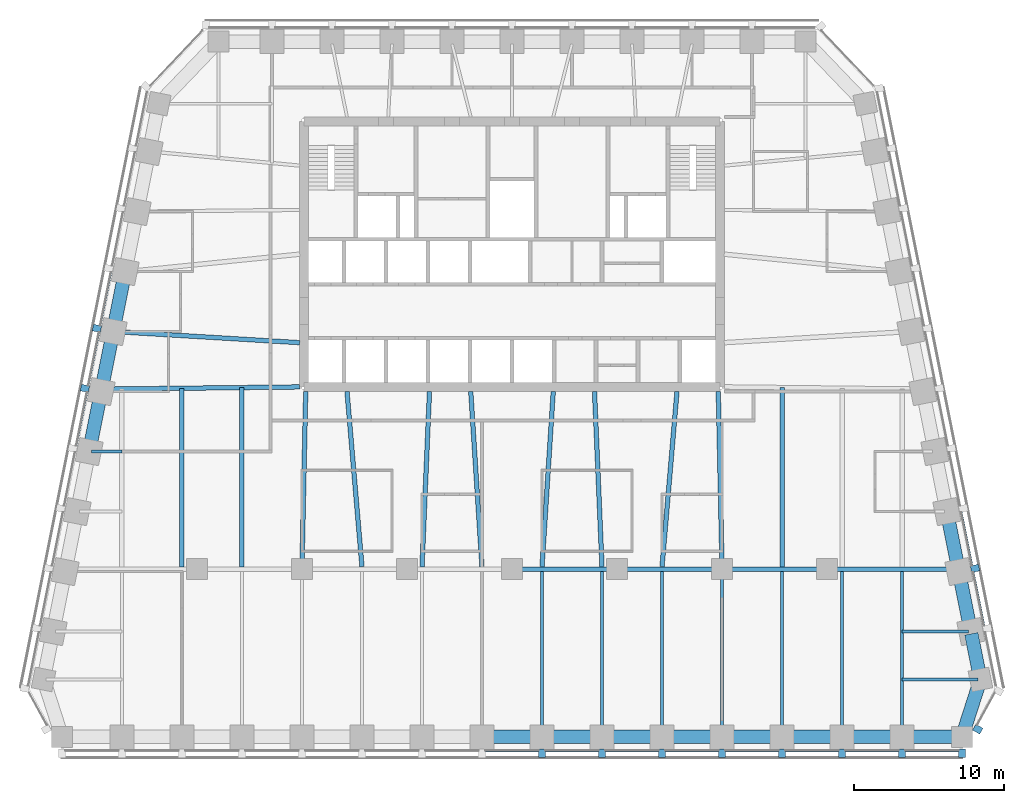
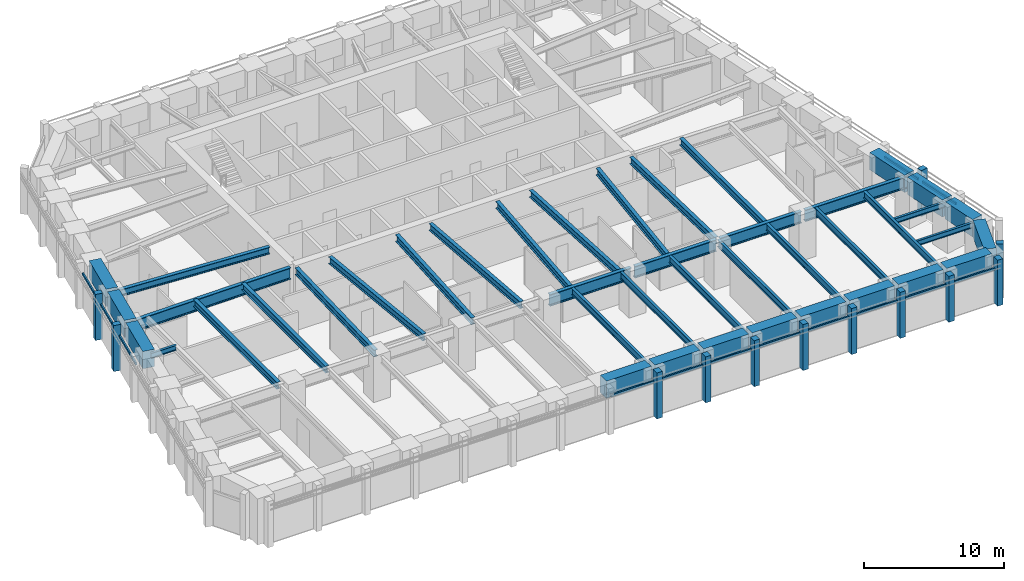
# One storey, part 2 of 10: 42 beams, 25 members, 4 elements without a shape of their own.
"""IFC4 building model written with IfcOpenShell, lengths in metres."""

from ifc_helpers import new_model, si_unit, direction, frame, origin, origin_2d, place, context, subcontext, project, spatial, rectangle, i_section, extrude, material, material_profile, profile_set, type_object, element, aggregate, save


model = new_model("IFC4")

# Units and contexts
model_context = context("Model", 3, precision=1e-05, world=origin(), true_north=direction((0.0, 1.0)))
body_context = subcontext(model_context, "Body", "Model", "MODEL_VIEW")
ifc_project = project(units=[si_unit("LENGTHUNIT", "METRE"), si_unit("AREAUNIT", "SQUARE_METRE"), si_unit("VOLUMEUNIT", "CUBIC_METRE"), si_unit("PLANEANGLEUNIT", "RADIAN"), si_unit("MASSUNIT", "GRAM", prefix="KILO")], contexts=[model_context])

# Site, building, storey
site_placement = place(None, origin())
site = spatial("IfcSite", under=ifc_project, at=site_placement, CompositionType="ELEMENT")
building_placement = place(site_placement, origin())
building = spatial("IfcBuilding", under=site, at=building_placement, Name="Isbrekke Arena Tower", CompositionType="ELEMENT")
storey_placement = place(building_placement, frame((0.0, 0.0, 230.0)))
storey = spatial("IfcBuildingStorey", under=building, at=storey_placement, Name="L53", CompositionType="ELEMENT", Elevation=230.0)

# Beams
ifc_material_1 = material(Name="Steel S355", Category="steel")
ifc_material_profile_1 = material_profile(ifc_material_1, i_section(OverallWidth=0.219970703125, OverallDepth=0.60009765625, WebThickness=0.011962890625, FlangeThickness=0.01904296875, FilletRadius=0.02392578125, at=origin_2d()), Name="IPE 600")
ifc_profile_set_1 = profile_set([ifc_material_profile_1], Name="Steel S355")
beam_type_1 = type_object("IfcBeamType", Name="B1 IPE 600", PredefinedType="BEAM", material=ifc_profile_set_1)
for number, where, z_axis, x_axis, name in (
    (1, (2.0, -17.02490234375, 3.550048828125), (0.0, 1.0, 0.0), (-1.0, 0.0, 0.0), "B1 beam S-S09 L53"),
    (2, (6.0, -17.02490234375, 3.550048828125), (0.0, 1.0, 0.0), (-1.0, 0.0, 0.0), "B1 beam S-S10 L53"),
    (3, (10.0, -17.02490234375, 3.550048828125), (0.0, 1.0, 0.0), (-1.0, 0.0, 0.0), "B1 beam S-S11 L53"),
):
    element("IfcBeam", number, at=place(storey_placement, frame(where, z_axis=z_axis, x_axis=x_axis)), inside=storey, type_object=beam_type_1, Name=name, PredefinedType="BEAM", context=body_context, shape_type="SweptSolid", body=[
        extrude(i_section(OverallWidth=0.219970703125, OverallDepth=0.60009765625, WebThickness=0.011962890625, FlangeThickness=0.01904296875, FilletRadius=0.02392578125, at=origin_2d()), origin(), (0.0, 0.0, 1.0), 10.8740234375),
    ])
beam_1_placement = place(storey_placement, frame((14.0, -17.02490234375, 3.550048828125), z_axis=(0.0, 1.0, 0.0), x_axis=(-1.0, 0.0, 0.0)))
element("IfcBeam", 4, at=beam_1_placement, inside=storey, type_object=beam_type_1, Name="B1 beam S-S12 L53", PredefinedType="BEAM", context=body_context, shape_type="SweptSolid", body=[
    extrude(i_section(OverallWidth=0.219970703125, OverallDepth=0.60009765625, WebThickness=0.011962890625, FlangeThickness=0.01904296875, FilletRadius=0.02392578125, at=origin_2d()), origin(), (0.0, 0.0, 1.0), 10.875),
])
for number, where, z_axis, x_axis, name in (
    (5, (18.0, -17.02490234375, 3.550048828125), (0.0, 1.0, 0.0), (-1.0, 0.0, 0.0), "B1 beam S-S13 L53"),
    (6, (22.0, -17.02490234375, 3.550048828125), (0.0, 1.0, 0.0), (-1.0, 0.0, 0.0), "B1 beam S-S14 L53"),
    (7, (26.0, -17.02490234375, 3.550048828125), (0.0, 1.0, 0.0), (-1.0, 0.0, 0.0), "B1 beam S-S15 L53"),
):
    element("IfcBeam", number, at=place(storey_placement, frame(where, z_axis=z_axis, x_axis=x_axis)), inside=storey, type_object=beam_type_1, Name=name, PredefinedType="BEAM", context=body_context, shape_type="SweptSolid", body=[
        extrude(i_section(OverallWidth=0.219970703125, OverallDepth=0.60009765625, WebThickness=0.011962890625, FlangeThickness=0.01904296875, FilletRadius=0.02392578125, at=origin_2d()), origin(), (0.0, 0.0, 1.0), 10.8740234375),
    ])
ifc_material_2 = material(Name="Steel S355", Category="steel")
ifc_material_profile_2 = material_profile(ifc_material_2, i_section(OverallWidth=0.18994140625, OverallDepth=0.449951171875, WebThickness=0.009521484375, FlangeThickness=0.0146484375, FilletRadius=0.02099609375, at=origin_2d()), Name="IPE 450")
ifc_profile_set_2 = profile_set([ifc_material_profile_2], Name="Steel S355")
beam_type_2 = type_object("IfcBeamType", Name="B2 IPE 450", PredefinedType="BEAM", material=ifc_profile_set_2)
beam_2_placement = place(storey_placement, frame((31.079345703125, -13.352783203125, 3.625), z_axis=(-1.0, 0.0, 0.0), x_axis=(0.0, -1.0, 0.0)))
element("IfcBeam", 8, at=beam_2_placement, inside=storey, type_object=beam_type_2, Name="B2 beam E-E01 L53", PredefinedType="BEAM", context=body_context, shape_type="SweptSolid", body=[
    extrude(i_section(OverallWidth=0.18994140625, OverallDepth=0.449951171875, WebThickness=0.009521484375, FlangeThickness=0.0146484375, FilletRadius=0.02099609375, at=origin_2d()), origin(), (0.0, 0.0, 1.0), 5.079345703125),
])
beam_3_placement = place(storey_placement, frame((30.44091796875, -10.161865234375, 3.625), z_axis=(-1.0, 0.0, 0.0), x_axis=(0.0, -1.0, 0.0)))
element("IfcBeam", 9, at=beam_3_placement, inside=storey, type_object=beam_type_2, Name="B2 beam E-E02 L53", PredefinedType="BEAM", context=body_context, shape_type="SweptSolid", body=[
    extrude(i_section(OverallWidth=0.18994140625, OverallDepth=0.449951171875, WebThickness=0.009521484375, FlangeThickness=0.0146484375, FilletRadius=0.02099609375, at=origin_2d()), origin(), (0.0, 0.0, 1.0), 4.44091796875),
])
beam_4_placement = place(storey_placement, frame((-28.041015625, 1.838134765625, 3.625), z_axis=(1.0, 0.0, 0.0), x_axis=(0.0, 1.0, 0.0)))
element("IfcBeam", 10, at=beam_4_placement, inside=storey, type_object=beam_type_2, Name="B2 beam E-W07 L53", PredefinedType="BEAM", context=body_context, shape_type="SweptSolid", body=[
    extrude(i_section(OverallWidth=0.18994140625, OverallDepth=0.449951171875, WebThickness=0.009521484375, FlangeThickness=0.0146484375, FilletRadius=0.02099609375, at=origin_2d()), origin(), (0.0, 0.0, 1.0), 2.041015625),
])
ifc_material_3 = material(Name="Steel S355", Category="steel")
ifc_material_profile_3 = material_profile(ifc_material_3, i_section(OverallWidth=0.300048828125, OverallDepth=0.60009765625, WebThickness=0.015380859375, FlangeThickness=0.030029296875, FilletRadius=0.027099609375, at=origin_2d()), Name="HEB 600")
ifc_profile_set_3 = profile_set([ifc_material_profile_3], Name="Steel S355")
beam_type_3 = type_object("IfcBeamType", Name="B7 HEB 600", PredefinedType="BEAM", material=ifc_profile_set_3)
beam_5_placement = place(storey_placement, frame((-22.0, -5.84912109375, 3.550048828125), z_axis=(0.0, 1.0, 0.0), x_axis=(-1.0, 0.0, 0.0)))
element("IfcBeam", 11, at=beam_5_placement, inside=storey, type_object=beam_type_3, Name="B7 beam C-M02 L53", PredefinedType="BEAM", context=body_context, shape_type="SweptSolid", body=[
    extrude(i_section(OverallWidth=0.300048828125, OverallDepth=0.60009765625, WebThickness=0.015380859375, FlangeThickness=0.030029296875, FilletRadius=0.027099609375, at=origin_2d()), origin(), (0.0, 0.0, 1.0), 11.91015625),
])
beam_6_placement = place(storey_placement, frame((-18.0, -5.84912109375, 3.550048828125), z_axis=(0.0, 1.0, 0.0), x_axis=(-1.0, 0.0, 0.0)))
element("IfcBeam", 12, at=beam_6_placement, inside=storey, type_object=beam_type_3, Name="B7 beam C-M03 L53", PredefinedType="BEAM", context=body_context, shape_type="SweptSolid", body=[
    extrude(i_section(OverallWidth=0.300048828125, OverallDepth=0.60009765625, WebThickness=0.015380859375, FlangeThickness=0.030029296875, FilletRadius=0.027099609375, at=origin_2d()), origin(), (0.0, 0.0, 1.0), 11.95556640625),
])
beam_7_placement = place(storey_placement, frame((-14.0, -5.8466796875, 3.550048828125), z_axis=(0.021368528218, 0.999771666933, 0.0), x_axis=(-0.999771666933, 0.021368528218, 0.0)))
element("IfcBeam", 13, at=beam_7_placement, inside=storey, type_object=beam_type_3, Name="B7 beam C-M04 L53", PredefinedType="BEAM", context=body_context, shape_type="SweptSolid", body=[
    extrude(i_section(OverallWidth=0.300048828125, OverallDepth=0.60009765625, WebThickness=0.015380859375, FlangeThickness=0.030029296875, FilletRadius=0.027099609375, at=origin_2d()), origin(), (0.0, 0.0, 1.0), 11.699462890625),
])
beam_8_placement = place(storey_placement, frame((-10.0009765625, -5.836181640625, 3.550048828125), z_axis=(-0.085176202372, 0.996365903948, 0.0), x_axis=(-0.996365903948, -0.085176202372, 0.0)))
element("IfcBeam", 14, at=beam_8_placement, inside=storey, type_object=beam_type_3, Name="B7 beam C-M05 L53", PredefinedType="BEAM", context=body_context, shape_type="SweptSolid", body=[
    extrude(i_section(OverallWidth=0.300048828125, OverallDepth=0.60009765625, WebThickness=0.015380859375, FlangeThickness=0.030029296875, FilletRadius=0.027099609375, at=origin_2d()), origin(), (0.0, 0.0, 1.0), 11.72900390625),
])
beam_9_placement = place(storey_placement, frame((-5.999755859375, -5.842529296875, 3.550048828125), z_axis=(0.042702124015, 0.999087848292, 0.0), x_axis=(-0.999087848292, 0.042702124015, 0.0)))
element("IfcBeam", 15, at=beam_9_placement, inside=storey, type_object=beam_type_3, Name="B7 beam C-M06 L53", PredefinedType="BEAM", context=body_context, shape_type="SweptSolid", body=[
    extrude(i_section(OverallWidth=0.300048828125, OverallDepth=0.60009765625, WebThickness=0.015380859375, FlangeThickness=0.030029296875, FilletRadius=0.027099609375, at=origin_2d()), origin(), (0.0, 0.0, 1.0), 11.703369140625),
])
for number, where, z_axis, x_axis, name in (
    (16, (-2.000732421875, -5.83935546875, 3.550048828125), (-0.063966475255, 0.997952047968, 0.0), (-0.997952047968, -0.063966475255, 0.0), "B7 beam C-M07 L53"),
    (17, (2.000732421875, -5.83935546875, 3.550048828125), (0.063966475255, 0.997952047968, 0.0), (-0.997952047968, 0.063966475255, 0.0), "B7 beam C-M08 L53"),
):
    element("IfcBeam", number, at=place(storey_placement, frame(where, z_axis=z_axis, x_axis=x_axis)), inside=storey, type_object=beam_type_3, Name=name, PredefinedType="BEAM", context=body_context, shape_type="SweptSolid", body=[
        extrude(i_section(OverallWidth=0.300048828125, OverallDepth=0.60009765625, WebThickness=0.015380859375, FlangeThickness=0.030029296875, FilletRadius=0.027099609375, at=origin_2d()), origin(), (0.0, 0.0, 1.0), 11.71337890625),
    ])
beam_10_placement = place(storey_placement, frame((5.999755859375, -5.842529296875, 3.550048828125), z_axis=(-0.042702124015, 0.999087848292, 0.0), x_axis=(-0.999087848292, -0.042702124015, 0.0)))
element("IfcBeam", 18, at=beam_10_placement, inside=storey, type_object=beam_type_3, Name="B7 beam C-M09 L53", PredefinedType="BEAM", context=body_context, shape_type="SweptSolid", body=[
    extrude(i_section(OverallWidth=0.300048828125, OverallDepth=0.60009765625, WebThickness=0.015380859375, FlangeThickness=0.030029296875, FilletRadius=0.027099609375, at=origin_2d()), origin(), (0.0, 0.0, 1.0), 11.703369140625),
])
beam_11_placement = place(storey_placement, frame((10.0009765625, -5.836181640625, 3.550048828125), z_axis=(0.085176202372, 0.996365903948, 0.0), x_axis=(-0.996365903948, 0.085176202372, 0.0)))
element("IfcBeam", 19, at=beam_11_placement, inside=storey, type_object=beam_type_3, Name="B7 beam C-M10 L53", PredefinedType="BEAM", context=body_context, shape_type="SweptSolid", body=[
    extrude(i_section(OverallWidth=0.300048828125, OverallDepth=0.60009765625, WebThickness=0.015380859375, FlangeThickness=0.030029296875, FilletRadius=0.027099609375, at=origin_2d()), origin(), (0.0, 0.0, 1.0), 11.72900390625),
])
beam_12_placement = place(storey_placement, frame((14.0, -5.8466796875, 3.550048828125), z_axis=(-0.021368528218, 0.999771666933, 0.0), x_axis=(-0.999771666933, -0.021368528218, 0.0)))
element("IfcBeam", 20, at=beam_12_placement, inside=storey, type_object=beam_type_3, Name="B7 beam C-M11 L53", PredefinedType="BEAM", context=body_context, shape_type="SweptSolid", body=[
    extrude(i_section(OverallWidth=0.300048828125, OverallDepth=0.60009765625, WebThickness=0.015380859375, FlangeThickness=0.030029296875, FilletRadius=0.027099609375, at=origin_2d()), origin(), (0.0, 0.0, 1.0), 11.699462890625),
])
beam_13_placement = place(storey_placement, frame((18.0, -5.84912109375, 3.550048828125), z_axis=(0.0, 1.0, 0.0), x_axis=(-1.0, 0.0, 0.0)))
element("IfcBeam", 21, at=beam_13_placement, inside=storey, type_object=beam_type_3, Name="B7 beam C-M12 L53", PredefinedType="BEAM", context=body_context, shape_type="SweptSolid", body=[
    extrude(i_section(OverallWidth=0.300048828125, OverallDepth=0.60009765625, WebThickness=0.015380859375, FlangeThickness=0.030029296875, FilletRadius=0.027099609375, at=origin_2d()), origin(), (0.0, 0.0, 1.0), 11.95556640625),
])
beam_14_placement = place(storey_placement, frame((-26.43212890625, 9.837646484375, 3.550048828125), z_axis=(0.998201854902, -0.059942112659, 0.0), x_axis=(0.059942112659, 0.998201854902, 0.0)))
element("IfcBeam", 22, at=beam_14_placement, inside=storey, type_object=beam_type_3, Name="B7 beam E-W05 L53", PredefinedType="BEAM", context=body_context, shape_type="SweptSolid", body=[
    extrude(i_section(OverallWidth=0.300048828125, OverallDepth=0.60009765625, WebThickness=0.015380859375, FlangeThickness=0.030029296875, FilletRadius=0.027099609375, at=origin_2d()), origin(), (0.0, 0.0, 1.0), 12.304443359375),
])

# Curtain wall, members
ifc_material_4 = material(Name="Glazed aluminium curtain wall", Category="aluminium")
curtain_wall_type = type_object("IfcCurtainWallType", Name="CWH TOWER CURTAIN WALL HIGH ZONE", PredefinedType="USERDEFINED", material=ifc_material_4)
curtain_wall_1_placement = place(storey_placement, origin())
curtain_wall_1 = element("IfcCurtainWall", 23, at=curtain_wall_1_placement, inside=storey, type_object=curtain_wall_type, Name="CWH curtain wall L53-S", ObjectType="TOWER CURTAIN WALL HIGH ZONE", PredefinedType="USERDEFINED")
ifc_material_5 = material(Name="Aluminium mullion, pale brick slip cladding", Category="masonry")
ifc_material_profile_4 = material_profile(ifc_material_5, rectangle(XDim=0.449951171875, YDim=0.550048828125, at=origin_2d()), Name="PIER 450X550")
ifc_profile_set_4 = profile_set([ifc_material_profile_4], Name="Aluminium mullion, pale brick slip cladding")
member_type_1 = type_object("IfcMemberType", Name="CWH-M PIER MULLION 450 x 550", PredefinedType="MULLION", material=ifc_profile_set_4)
member_1_placement = place(storey_placement, frame((2.0, -18.27490234375, 0.0), z_axis=(0.0, 0.0, 1.0), x_axis=(1.0, 0.0, 0.0)))
member_1 = element("IfcMember", 24, at=member_1_placement, type_object=member_type_1, Name="CWH-M mullion 9", PredefinedType="MULLION", context=body_context, shape_type="SweptSolid", body=[
    extrude(rectangle(XDim=0.449951171875, YDim=0.550048828125, at=origin_2d()), origin(), (0.0, 0.0, 1.0), 4.0),
])
member_2_placement = place(storey_placement, frame((6.0, -18.27490234375, 0.0), z_axis=(0.0, 0.0, 1.0), x_axis=(1.0, 0.0, 0.0)))
member_2 = element("IfcMember", 25, at=member_2_placement, type_object=member_type_1, Name="CWH-M mullion 10", PredefinedType="MULLION", context=body_context, shape_type="SweptSolid", body=[
    extrude(rectangle(XDim=0.449951171875, YDim=0.550048828125, at=origin_2d()), origin(), (0.0, 0.0, 1.0), 4.0),
])
member_3_placement = place(storey_placement, frame((10.0, -18.27490234375, 0.0), z_axis=(0.0, 0.0, 1.0), x_axis=(1.0, 0.0, 0.0)))
member_3 = element("IfcMember", 26, at=member_3_placement, type_object=member_type_1, Name="CWH-M mullion 11", PredefinedType="MULLION", context=body_context, shape_type="SweptSolid", body=[
    extrude(rectangle(XDim=0.449951171875, YDim=0.550048828125, at=origin_2d()), origin(), (0.0, 0.0, 1.0), 4.0),
])
member_4_placement = place(storey_placement, frame((14.0, -18.27490234375, 0.0), z_axis=(0.0, 0.0, 1.0), x_axis=(1.0, 0.0, 0.0)))
member_4 = element("IfcMember", 27, at=member_4_placement, type_object=member_type_1, Name="CWH-M mullion 12", PredefinedType="MULLION", context=body_context, shape_type="SweptSolid", body=[
    extrude(rectangle(XDim=0.449951171875, YDim=0.550048828125, at=origin_2d()), origin(), (0.0, 0.0, 1.0), 4.0),
])
member_5_placement = place(storey_placement, frame((18.0, -18.27490234375, 0.0), z_axis=(0.0, 0.0, 1.0), x_axis=(1.0, 0.0, 0.0)))
member_5 = element("IfcMember", 28, at=member_5_placement, type_object=member_type_1, Name="CWH-M mullion 13", PredefinedType="MULLION", context=body_context, shape_type="SweptSolid", body=[
    extrude(rectangle(XDim=0.449951171875, YDim=0.550048828125, at=origin_2d()), origin(), (0.0, 0.0, 1.0), 4.0),
])
member_6_placement = place(storey_placement, frame((22.0, -18.27490234375, 0.0), z_axis=(0.0, 0.0, 1.0), x_axis=(1.0, 0.0, 0.0)))
member_6 = element("IfcMember", 29, at=member_6_placement, type_object=member_type_1, Name="CWH-M mullion 14", PredefinedType="MULLION", context=body_context, shape_type="SweptSolid", body=[
    extrude(rectangle(XDim=0.449951171875, YDim=0.550048828125, at=origin_2d()), origin(), (0.0, 0.0, 1.0), 4.0),
])
member_7_placement = place(storey_placement, frame((26.0, -18.27490234375, 0.0), z_axis=(0.0, 0.0, 1.0), x_axis=(1.0, 0.0, 0.0)))
member_7 = element("IfcMember", 30, at=member_7_placement, type_object=member_type_1, Name="CWH-M mullion 15", PredefinedType="MULLION", context=body_context, shape_type="SweptSolid", body=[
    extrude(rectangle(XDim=0.449951171875, YDim=0.550048828125, at=origin_2d()), origin(), (0.0, 0.0, 1.0), 4.0),
])
member_8_placement = place(storey_placement, frame((30.0, -18.27490234375, 0.0), z_axis=(0.0, 0.0, 1.0), x_axis=(1.0, 0.0, 0.0)))
member_8 = element("IfcMember", 31, at=member_8_placement, type_object=member_type_1, Name="CWH-M mullion 16", PredefinedType="MULLION", context=body_context, shape_type="SweptSolid", body=[
    extrude(rectangle(XDim=0.449951171875, YDim=0.550048828125, at=origin_2d()), origin(), (0.0, 0.0, 1.0), 4.0),
])

# Curtain wall, member
curtain_wall_2_placement = place(storey_placement, origin())
curtain_wall_2 = element("IfcCurtainWall", 32, at=curtain_wall_2_placement, inside=storey, type_object=curtain_wall_type, Name="CWH curtain wall L53-SE", ObjectType="TOWER CURTAIN WALL HIGH ZONE", PredefinedType="USERDEFINED")
member_9_placement = place(storey_placement, frame((31.047119140625, -16.666748046875, 0.0), z_axis=(0.0, 0.0, 1.0), x_axis=(0.481918749773, 0.876215908676, 0.0)))
member_9 = element("IfcMember", 33, at=member_9_placement, type_object=member_type_1, Name="CWH-M mullion 1", PredefinedType="MULLION", context=body_context, shape_type="SweptSolid", body=[
    extrude(rectangle(XDim=0.449951171875, YDim=0.550048828125, at=origin_2d()), origin(), (0.0, 0.0, 1.0), 4.0),
])
aggregate(curtain_wall_2, [member_9])

curtain_wall_3_placement = place(storey_placement, origin())
curtain_wall_3 = element("IfcCurtainWall", 34, at=curtain_wall_3_placement, inside=storey, type_object=curtain_wall_type, Name="CWH curtain wall L53-E", ObjectType="TOWER CURTAIN WALL HIGH ZONE", PredefinedType="USERDEFINED")
member_10_placement = place(storey_placement, frame((30.86962890625, -5.946044921875, 0.0), z_axis=(0.0, 0.0, 1.0), x_axis=(-0.196116135138, 0.980580675691, 0.0)))
member_10 = element("IfcMember", 35, at=member_10_placement, type_object=member_type_1, Name="CWH-M mullion 2", PredefinedType="MULLION", context=body_context, shape_type="SweptSolid", body=[
    extrude(rectangle(XDim=0.449951171875, YDim=0.550048828125, at=origin_2d()), origin(), (0.0, 0.0, 1.0), 4.0),
])

# Curtain wall, members
curtain_wall_4_placement = place(storey_placement, origin())
curtain_wall_4 = element("IfcCurtainWall", 36, at=curtain_wall_4_placement, inside=storey, type_object=curtain_wall_type, Name="CWH curtain wall L53-W", ObjectType="TOWER CURTAIN WALL HIGH ZONE", PredefinedType="USERDEFINED")
member_11_placement = place(storey_placement, frame((-27.669677734375, 10.053955078125, 0.0), z_axis=(0.0, 0.0, 1.0), x_axis=(-0.196116135138, -0.980580675691, 0.0)))
member_11 = element("IfcMember", 37, at=member_11_placement, type_object=member_type_1, Name="CWH-M mullion 4", PredefinedType="MULLION", context=body_context, shape_type="SweptSolid", body=[
    extrude(rectangle(XDim=0.449951171875, YDim=0.550048828125, at=origin_2d()), origin(), (0.0, 0.0, 1.0), 4.0),
])
member_12_placement = place(storey_placement, frame((-28.4697265625, 6.053955078125, 0.0), z_axis=(0.0, 0.0, 1.0), x_axis=(-0.196116135138, -0.980580675691, 0.0)))
member_12 = element("IfcMember", 38, at=member_12_placement, type_object=member_type_1, Name="CWH-M mullion 5", PredefinedType="MULLION", context=body_context, shape_type="SweptSolid", body=[
    extrude(rectangle(XDim=0.449951171875, YDim=0.550048828125, at=origin_2d()), origin(), (0.0, 0.0, 1.0), 4.0),
])

# Member
ifc_material_6 = material(Name="Aluminium transom", Category="aluminium")
ifc_material_profile_5 = material_profile(ifc_material_6, rectangle(XDim=0.1201171875, YDim=0.199951171875, at=origin_2d()), Name="TRANSOM 120X200")
ifc_profile_set_5 = profile_set([ifc_material_profile_5], Name="Aluminium transom")
member_type_2 = type_object("IfcMemberType", Name="CWH-T TRANSOM 120 x 200", PredefinedType="USERDEFINED", material=ifc_profile_set_5)
member_13_placement = place(storey_placement, frame((-1.77490234375, -18.10009765625, 3.0), z_axis=(1.0, 0.0, 0.0), x_axis=(0.0, 1.0, 0.0)))
member_13 = element("IfcMember", 39, at=member_13_placement, type_object=member_type_2, Name="CWH-T transom 8", ObjectType="TRANSOM", PredefinedType="USERDEFINED", context=body_context, shape_type="SweptSolid", body=[
    extrude(rectangle(XDim=0.1201171875, YDim=0.199951171875, at=origin_2d()), origin(), (0.0, 0.0, 1.0), 3.5498046875),
])

member_14_placement = place(storey_placement, frame((2.22509765625, -18.10009765625, 3.0), z_axis=(1.0, 0.0, 0.0), x_axis=(0.0, 1.0, 0.0)))
member_14 = element("IfcMember", 40, at=member_14_placement, type_object=member_type_2, Name="CWH-T transom 9", ObjectType="TRANSOM", PredefinedType="USERDEFINED", context=body_context, shape_type="SweptSolid", body=[
    extrude(rectangle(XDim=0.1201171875, YDim=0.199951171875, at=origin_2d()), origin(), (0.0, 0.0, 1.0), 3.5498046875),
])

member_15_placement = place(storey_placement, frame((6.22509765625, -18.10009765625, 3.0), z_axis=(1.0, 0.0, 0.0), x_axis=(0.0, 1.0, 0.0)))
member_15 = element("IfcMember", 41, at=member_15_placement, type_object=member_type_2, Name="CWH-T transom 10", ObjectType="TRANSOM", PredefinedType="USERDEFINED", context=body_context, shape_type="SweptSolid", body=[
    extrude(rectangle(XDim=0.1201171875, YDim=0.199951171875, at=origin_2d()), origin(), (0.0, 0.0, 1.0), 3.5498046875),
])

member_16_placement = place(storey_placement, frame((10.22509765625, -18.10009765625, 3.0), z_axis=(1.0, 0.0, 0.0), x_axis=(0.0, 1.0, 0.0)))
member_16 = element("IfcMember", 42, at=member_16_placement, type_object=member_type_2, Name="CWH-T transom 11", ObjectType="TRANSOM", PredefinedType="USERDEFINED", context=body_context, shape_type="SweptSolid", body=[
    extrude(rectangle(XDim=0.1201171875, YDim=0.199951171875, at=origin_2d()), origin(), (0.0, 0.0, 1.0), 3.5498046875),
])

member_17_placement = place(storey_placement, frame((14.22509765625, -18.10009765625, 3.0), z_axis=(1.0, 0.0, 0.0), x_axis=(0.0, 1.0, 0.0)))
member_17 = element("IfcMember", 43, at=member_17_placement, type_object=member_type_2, Name="CWH-T transom 12", ObjectType="TRANSOM", PredefinedType="USERDEFINED", context=body_context, shape_type="SweptSolid", body=[
    extrude(rectangle(XDim=0.1201171875, YDim=0.199951171875, at=origin_2d()), origin(), (0.0, 0.0, 1.0), 3.5498046875),
])

member_18_placement = place(storey_placement, frame((18.22509765625, -18.10009765625, 3.0), z_axis=(1.0, 0.0, 0.0), x_axis=(0.0, 1.0, 0.0)))
member_18 = element("IfcMember", 44, at=member_18_placement, type_object=member_type_2, Name="CWH-T transom 13", ObjectType="TRANSOM", PredefinedType="USERDEFINED", context=body_context, shape_type="SweptSolid", body=[
    extrude(rectangle(XDim=0.1201171875, YDim=0.199951171875, at=origin_2d()), origin(), (0.0, 0.0, 1.0), 3.5498046875),
])

member_19_placement = place(storey_placement, frame((22.22509765625, -18.10009765625, 3.0), z_axis=(1.0, 0.0, 0.0), x_axis=(0.0, 1.0, 0.0)))
member_19 = element("IfcMember", 45, at=member_19_placement, type_object=member_type_2, Name="CWH-T transom 14", ObjectType="TRANSOM", PredefinedType="USERDEFINED", context=body_context, shape_type="SweptSolid", body=[
    extrude(rectangle(XDim=0.1201171875, YDim=0.199951171875, at=origin_2d()), origin(), (0.0, 0.0, 1.0), 3.5498046875),
])

member_20_placement = place(storey_placement, frame((26.22509765625, -18.10009765625, 3.0), z_axis=(1.0, 0.0, 0.0), x_axis=(0.0, 1.0, 0.0)))
member_20 = element("IfcMember", 46, at=member_20_placement, type_object=member_type_2, Name="CWH-T transom 15", ObjectType="TRANSOM", PredefinedType="USERDEFINED", context=body_context, shape_type="SweptSolid", body=[
    extrude(rectangle(XDim=0.1201171875, YDim=0.199951171875, at=origin_2d()), origin(), (0.0, 0.0, 1.0), 3.5498046875),
])

aggregate(curtain_wall_1, [member_1, member_2, member_3, member_4, member_5, member_6, member_7, member_8, member_13, member_14, member_15, member_16, member_17, member_18, member_19, member_20])

member_21_placement = place(storey_placement, frame((31.453857421875, -9.759765625, 3.0), z_axis=(-0.196090262229, 0.980585849918, 0.0), x_axis=(-0.980585849918, -0.196090262229, 0.0)))
member_21 = element("IfcMember", 47, at=member_21_placement, type_object=member_type_2, Name="CWH-T transom 2", ObjectType="TRANSOM", PredefinedType="USERDEFINED", context=body_context, shape_type="SweptSolid", body=[
    extrude(rectangle(XDim=0.1201171875, YDim=0.199951171875, at=origin_2d()), origin(), (0.0, 0.0, 1.0), 3.62939453125),
])

member_22_placement = place(storey_placement, frame((30.654052734375, -5.759765625, 3.0), z_axis=(-0.196154943734, 0.980572913173, 0.0), x_axis=(-0.980572913173, -0.196154943734, 0.0)))
member_22 = element("IfcMember", 48, at=member_22_placement, type_object=member_type_2, Name="CWH-T transom 3", ObjectType="TRANSOM", PredefinedType="USERDEFINED", context=body_context, shape_type="SweptSolid", body=[
    extrude(rectangle(XDim=0.1201171875, YDim=0.199951171875, at=origin_2d()), origin(), (0.0, 0.0, 1.0), 3.62939453125),
])

aggregate(curtain_wall_3, [member_10, member_21, member_22])

member_23_placement = place(storey_placement, frame((-26.7421875, 13.799072265625, 3.0), z_axis=(-0.196090262229, -0.980585849918, 0.0), x_axis=(0.980585849918, -0.196090262229, 0.0)))
member_23 = element("IfcMember", 49, at=member_23_placement, type_object=member_type_2, Name="CWH-T transom 4", ObjectType="TRANSOM", PredefinedType="USERDEFINED", context=body_context, shape_type="SweptSolid", body=[
    extrude(rectangle(XDim=0.1201171875, YDim=0.199951171875, at=origin_2d()), origin(), (0.0, 0.0, 1.0), 3.62939453125),
])

member_24_placement = place(storey_placement, frame((-27.542236328125, 9.799072265625, 3.0), z_axis=(-0.196090262229, -0.980585849918, 0.0), x_axis=(0.980585849918, -0.196090262229, 0.0)))
member_24 = element("IfcMember", 50, at=member_24_placement, type_object=member_type_2, Name="CWH-T transom 5", ObjectType="TRANSOM", PredefinedType="USERDEFINED", context=body_context, shape_type="SweptSolid", body=[
    extrude(rectangle(XDim=0.1201171875, YDim=0.199951171875, at=origin_2d()), origin(), (0.0, 0.0, 1.0), 3.62939453125),
])

member_25_placement = place(storey_placement, frame((-28.34228515625, 5.799072265625, 3.0), z_axis=(-0.196090262229, -0.980585849918, 0.0), x_axis=(0.980585849918, -0.196090262229, 0.0)))
member_25 = element("IfcMember", 51, at=member_25_placement, type_object=member_type_2, Name="CWH-T transom 6", ObjectType="TRANSOM", PredefinedType="USERDEFINED", context=body_context, shape_type="SweptSolid", body=[
    extrude(rectangle(XDim=0.1201171875, YDim=0.199951171875, at=origin_2d()), origin(), (0.0, 0.0, 1.0), 3.62939453125),
])

aggregate(curtain_wall_4, [member_11, member_12, member_23, member_24, member_25])

# Beams
ifc_material_7 = material(Name="Steel S355", Category="steel")
ifc_material_profile_6 = material_profile(ifc_material_7, i_section(OverallWidth=0.302001953125, OverallDepth=1.008056640625, WebThickness=0.02099609375, FlangeThickness=0.0400390625, FilletRadius=0.030029296875, at=origin_2d()), Name="HEM 1000")
ifc_profile_set_6 = profile_set([ifc_material_profile_6], Name="Steel S355")
beam_type_4 = type_object("IfcBeamType", Name="G1 HEM 1000", PredefinedType="BEAM", material=ifc_profile_set_6)
for number, where, z_axis, x_axis, name in (
    (52, (0.14990234375, -6.0, 3.345947265625), (1.0, 0.0, 0.0), (0.0, 1.0, 0.0), "G1 beam G1-05 L53"),
    (53, (7.14990234375, -6.0, 3.345947265625), (1.0, 0.0, 0.0), (0.0, 1.0, 0.0), "G1 beam G1-06 L53"),
    (54, (14.14990234375, -6.0, 3.345947265625), (1.0, 0.0, 0.0), (0.0, 1.0, 0.0), "G1 beam G1-07 L53"),
):
    element("IfcBeam", number, at=place(storey_placement, frame(where, z_axis=z_axis, x_axis=x_axis)), inside=storey, type_object=beam_type_4, Name=name, PredefinedType="BEAM", context=body_context, shape_type="SweptSolid", body=[
        extrude(i_section(OverallWidth=0.302001953125, OverallDepth=1.008056640625, WebThickness=0.02099609375, FlangeThickness=0.0400390625, FilletRadius=0.030029296875, at=origin_2d()), origin(), (0.0, 0.0, 1.0), 6.7001953125),
    ])
beam_15_placement = place(storey_placement, frame((21.14990234375, -6.0, 3.345947265625), z_axis=(1.0, 0.0, 0.0), x_axis=(0.0, 1.0, 0.0)))
element("IfcBeam", 55, at=beam_15_placement, inside=storey, type_object=beam_type_4, Name="G1 beam G1-08 L53", PredefinedType="BEAM", context=body_context, shape_type="SweptSolid", body=[
    extrude(i_section(OverallWidth=0.302001953125, OverallDepth=1.008056640625, WebThickness=0.02099609375, FlangeThickness=0.0400390625, FilletRadius=0.030029296875, at=origin_2d()), origin(), (0.0, 0.0, 1.0), 8.64111328125),
])
ifc_material_8 = material(Name="Steel S355", Category="steel")
ifc_material_profile_7 = material_profile(ifc_material_8, i_section(OverallWidth=0.302001953125, OverallDepth=1.008056640625, WebThickness=0.02099609375, FlangeThickness=0.0400390625, FilletRadius=0.030029296875, at=origin_2d()), Name="HEM 1000")
ifc_profile_set_7 = profile_set([ifc_material_profile_7], Name="Steel S355")
beam_type_5 = type_object("IfcBeamType", Name="G2 HEM 1000", PredefinedType="BEAM", material=ifc_profile_set_7)
beam_16_placement = place(storey_placement, frame((-14.14990234375, 6.14990234375, 3.345947265625), z_axis=(-0.999935908299, -0.011321629528, 0.0), x_axis=(0.011321629528, -0.999935908299, 0.0)))
element("IfcBeam", 56, at=beam_16_placement, inside=storey, type_object=beam_type_5, Name="G2 beam G2-W L53", PredefinedType="BEAM", context=body_context, shape_type="SweptSolid", body=[
    extrude(i_section(OverallWidth=0.302001953125, OverallDepth=1.008056640625, WebThickness=0.02099609375, FlangeThickness=0.0400390625, FilletRadius=0.030029296875, at=origin_2d()), origin(), (0.0, 0.0, 1.0), 13.240234375),
])
ifc_material_9 = material(Name="Concrete B65 (C65/80)", Category="concrete")
ifc_material_profile_8 = material_profile(ifc_material_9, rectangle(XDim=0.89990234375, YDim=1.5, at=origin_2d()), Name="RC 900x1500")
ifc_profile_set_8 = profile_set([ifc_material_profile_8], Name="Concrete B65 (C65/80)")
beam_type_6 = type_object("IfcBeamType", Name="SB3 RC 900 x 1500", PredefinedType="SPANDREL", material=ifc_profile_set_8)
for number, where, z_axis, x_axis, name in (
    (57, (-1.85009765625, -17.175048828125, 3.25), (1.0, 0.0, 0.0), (0.0, 1.0, 0.0), "SB3 spandrel S08-S09 L53"),
    (58, (2.14990234375, -17.175048828125, 3.25), (1.0, 0.0, 0.0), (0.0, 1.0, 0.0), "SB3 spandrel S09-S10 L53"),
    (59, (6.14990234375, -17.175048828125, 3.25), (1.0, 0.0, 0.0), (0.0, 1.0, 0.0), "SB3 spandrel S10-S11 L53"),
    (60, (10.14990234375, -17.175048828125, 3.25), (1.0, 0.0, 0.0), (0.0, 1.0, 0.0), "SB3 spandrel S11-S12 L53"),
    (61, (14.14990234375, -17.175048828125, 3.25), (1.0, 0.0, 0.0), (0.0, 1.0, 0.0), "SB3 spandrel S12-S13 L53"),
    (62, (18.14990234375, -17.175048828125, 3.25), (1.0, 0.0, 0.0), (0.0, 1.0, 0.0), "SB3 spandrel S13-S14 L53"),
    (63, (22.14990234375, -17.175048828125, 3.25), (1.0, 0.0, 0.0), (0.0, 1.0, 0.0), "SB3 spandrel S14-S15 L53"),
    (64, (26.14990234375, -17.175048828125, 3.25), (1.0, 0.0, 0.0), (0.0, 1.0, 0.0), "SB3 spandrel S15-S16 L53"),
):
    element("IfcBeam", number, at=place(storey_placement, frame(where, z_axis=z_axis, x_axis=x_axis)), inside=storey, type_object=beam_type_6, Name=name, PredefinedType="SPANDREL", context=body_context, shape_type="SweptSolid", body=[
        extrude(rectangle(XDim=0.89990234375, YDim=1.5, at=origin_2d()), origin(), (0.0, 0.0, 1.0), 3.7001953125),
    ])
beam_17_placement = place(storey_placement, frame((30.0458984375, -17.0322265625, 3.25), z_axis=(0.306175101476, 0.951975213562, 0.0), x_axis=(-0.951975213562, 0.306175101476, 0.0)))
element("IfcBeam", 65, at=beam_17_placement, inside=storey, type_object=beam_type_6, Name="SB3 spandrel S16-E01 L53", PredefinedType="SPANDREL", context=body_context, shape_type="SweptSolid", body=[
    extrude(rectangle(XDim=0.89990234375, YDim=1.5, at=origin_2d()), origin(), (0.0, 0.0, 1.0), 3.715087890625),
])
beam_18_placement = place(storey_placement, frame((31.19970703125, -13.205810546875, 3.25), z_axis=(-0.196100243168, 0.980583853951, 0.0), x_axis=(-0.980583853951, -0.196100243168, 0.0)))
element("IfcBeam", 66, at=beam_18_placement, inside=storey, type_object=beam_type_6, Name="SB3 spandrel E01-E02 L53", PredefinedType="SPANDREL", context=body_context, shape_type="SweptSolid", body=[
    extrude(rectangle(XDim=0.89990234375, YDim=1.5, at=origin_2d()), origin(), (0.0, 0.0, 1.0), 2.954345703125),
])
beam_19_placement = place(storey_placement, frame((30.5615234375, -10.0146484375, 3.25), z_axis=(-0.1960664412, 0.980590613169, 0.0), x_axis=(-0.980590613169, -0.1960664412, 0.0)))
element("IfcBeam", 67, at=beam_19_placement, inside=storey, type_object=beam_type_6, Name="SB3 spandrel E02-E03 L53", PredefinedType="SPANDREL", context=body_context, shape_type="SweptSolid", body=[
    extrude(rectangle(XDim=0.89990234375, YDim=1.5, at=origin_2d()), origin(), (0.0, 0.0, 1.0), 3.779052734375),
])
beam_20_placement = place(storey_placement, frame((29.76171875, -6.0146484375, 3.25), z_axis=(-0.196128558387, 0.980578190959, 0.0), x_axis=(-0.980578190959, -0.196128558387, 0.0)))
element("IfcBeam", 68, at=beam_20_placement, inside=storey, type_object=beam_type_6, Name="SB3 spandrel E03-E04 L53", PredefinedType="SPANDREL", context=body_context, shape_type="SweptSolid", body=[
    extrude(rectangle(XDim=0.89990234375, YDim=1.5, at=origin_2d()), origin(), (0.0, 0.0, 1.0), 3.779296875),
])
beam_21_placement = place(storey_placement, frame((-25.820556640625, 13.691162109375, 3.25), z_axis=(-0.1960664412, -0.980590613169, 0.0), x_axis=(0.980590613169, -0.1960664412, 0.0)))
element("IfcBeam", 69, at=beam_21_placement, inside=storey, type_object=beam_type_6, Name="SB3 spandrel W04-W05 L53", PredefinedType="SPANDREL", context=body_context, shape_type="SweptSolid", body=[
    extrude(rectangle(XDim=0.89990234375, YDim=1.5, at=origin_2d()), origin(), (0.0, 0.0, 1.0), 3.779052734375),
])
for number, where, z_axis, x_axis, name in (
    (70, (-26.620361328125, 9.691162109375, 3.25), (-0.196128558387, -0.980578190959, 0.0), (0.980578190959, -0.196128558387, 0.0), "SB3 spandrel W05-W06 L53"),
    (71, (-27.42041015625, 5.691162109375, 3.25), (-0.196128558387, -0.980578190959, 0.0), (0.980578190959, -0.196128558387, 0.0), "SB3 spandrel W06-W07 L53"),
):
    element("IfcBeam", number, at=place(storey_placement, frame(where, z_axis=z_axis, x_axis=x_axis)), inside=storey, type_object=beam_type_6, Name=name, PredefinedType="SPANDREL", context=body_context, shape_type="SweptSolid", body=[
        extrude(rectangle(XDim=0.89990234375, YDim=1.5, at=origin_2d()), origin(), (0.0, 0.0, 1.0), 3.779296875),
    ])

save(model, "model.ifc")
